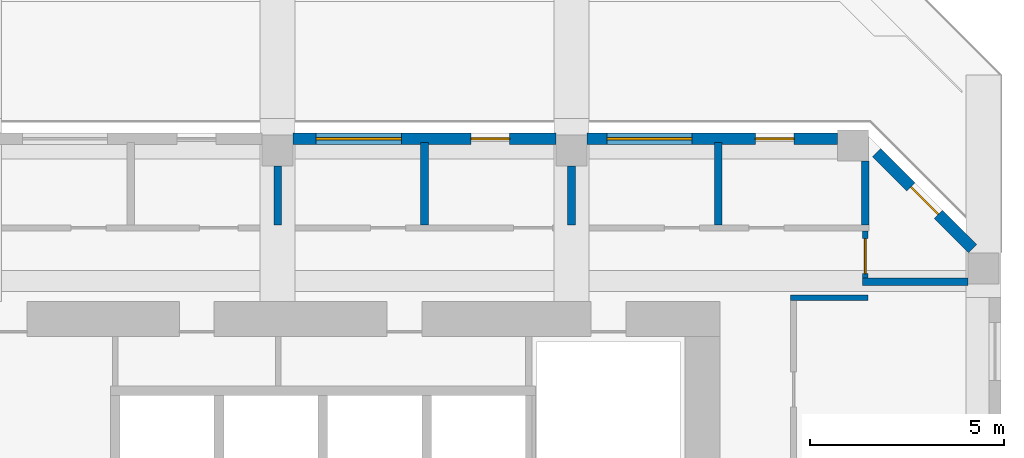
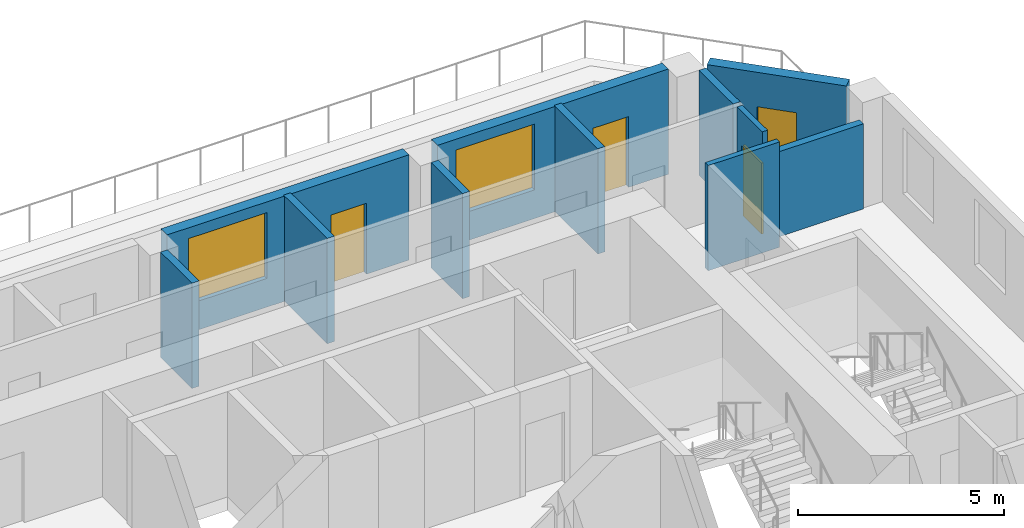
# One storey, part 11 of 16: 11 walls, 4 doors, 2 windows, 6 openings.
"""IFC4 building model written with IfcOpenShell, lengths in metres."""

from ifc_helpers import new_model, si_unit, direction, frame, frame_2d, origin, place, context, subcontext, project, spatial, rectangle, extrude, source, transform, mapped, material, layer, layer_set, type_object, element, fill, save


model = new_model("IFC4")

# Units and contexts
model_context = context("Model", 3, precision=1e-05, world=origin(), true_north=direction((0.0, 1.0)))
body_context = subcontext(model_context, "Body", "Model", "MODEL_VIEW")
ifc_project = project(units=[si_unit("LENGTHUNIT", "METRE"), si_unit("AREAUNIT", "SQUARE_METRE"), si_unit("VOLUMEUNIT", "CUBIC_METRE"), si_unit("PLANEANGLEUNIT", "RADIAN"), si_unit("MASSUNIT", "GRAM", prefix="KILO")], contexts=[model_context])

# Site, building, storey
site_placement = place(None, origin())
site = spatial("IfcSite", under=ifc_project, at=site_placement, CompositionType="ELEMENT")
building_placement = place(site_placement, origin())
building = spatial("IfcBuilding", under=site, at=building_placement, Name="Kilnfold Tower and Market Hall", CompositionType="ELEMENT")
storey_placement = place(building_placement, frame((0.0, 0.0, 168.5)))
storey = spatial("IfcBuildingStorey", under=building, at=storey_placement, Name="L39", CompositionType="ELEMENT", Elevation=168.5)

# Wall
ifc_material_1 = material(Name="Gypsum board on steel studs", Category="steel")
ifc_layer_1 = layer(ifc_material_1, 0.14990234375)
ifc_layer_set_1 = layer_set([ifc_layer_1], Name="Gypsum board on steel studs")
wall_type_1 = type_object("IfcWallType", Name="WALL CORRIDOR 150", PredefinedType="PARTITIONING", material=ifc_layer_set_1)
wall_1_placement = place(storey_placement, frame((19.824951171875, 22.0, 0.0), z_axis=(0.0, 0.0, 1.0), x_axis=(1.0, 0.0, 0.0)))
element("IfcWall", 1, at=wall_1_placement, inside=storey, type_object=wall_type_1, Name="Partition LY26.30", PredefinedType="PARTITIONING", context=body_context, shape_type="SweptSolid", body=[
    extrude(rectangle(XDim=2.0, YDim=0.14990234375, at=frame_2d((1.0, 0.0))), origin(), (0.0, 0.0, 1.0), 3.1201171875),
])

# Wall, opening, door
wall_2_placement = place(storey_placement, frame((21.75, 22.5029296875, 0.0), z_axis=(0.0, 0.0, 1.0), x_axis=(0.0, 1.0, 0.0)))
wall_2 = element("IfcWall", 2, at=wall_2_placement, inside=storey, type_object=wall_type_1, Name="Partition LY26.33", PredefinedType="PARTITIONING", context=body_context, shape_type="SweptSolid", body=[
    extrude(rectangle(XDim=1.22216796875, YDim=0.14990234375, at=frame_2d((0.611083984375, 0.0))), origin(), (0.0, 0.0, 1.0), 3.1201171875),
])
opening_1_placement = place(wall_2_placement, frame((0.1201171875, 0.0, 0.0)))
opening_1 = element("IfcOpeningElement", 3, at=opening_1_placement, cuts=wall_2, Name="Opening D2", PredefinedType="OPENING", context=body_context, shape_type="SweptSolid", body=[
    extrude(rectangle(XDim=0.89990234375, YDim=2.10009765625, at=frame_2d((0.449951171875, 1.050048828125))), frame((0.0, 0.0849609375, 0.0), z_axis=(0.0, -1.0, 0.0), x_axis=(1.0, 0.0, 0.0)), (0.0, 0.0, 1.0), 0.169921875),
])
ifc_material_2 = material(Name="Timber veneer door leaf in steel frame", Category="steel")
door_type_1 = type_object("IfcDoorType", Name="DOOR ROOM 900 X2100", OperationType="NOTDEFINED", PredefinedType="DOOR", material=ifc_material_2)
door_1_placement = place(opening_1_placement, origin())
door_1 = element("IfcDoor", 4, at=door_1_placement, inside=storey, type_object=door_type_1, Name="Door D2", OperationType="SINGLE_SWING_LEFT", OverallHeight=2.10009765625, OverallWidth=0.89990234375, PredefinedType="DOOR", context=body_context, shape_type="SweptSolid", body=[
    extrude(rectangle(XDim=0.89990234375, YDim=2.10009765625, at=frame_2d((0.449951171875, 1.050048828125))), frame((0.0, 0.02490234375, 0.0), z_axis=(0.0, -1.0, 0.0), x_axis=(1.0, 0.0, 0.0)), (0.0, 0.0, 1.0), 0.050048828125),
])
fill(opening_1, door_1)

# Walls
ifc_material_3 = material(Name="Gypsum board on steel studs", Category="steel")
ifc_layer_2 = layer(ifc_material_3, 0.199951171875)
ifc_layer_set_2 = layer_set([ifc_layer_2], Name="Gypsum board on steel studs")
wall_type_2 = type_object("IfcWallType", Name="WALL PARTY 200", PredefinedType="PARTITIONING", material=ifc_layer_set_2)
wall_3_placement = place(storey_placement, frame((24.39990234375, 22.4130859375, 0.0), z_axis=(0.0, 0.0, 1.0), x_axis=(-1.0, 0.0, 0.0)))
element("IfcWall", 5, at=wall_3_placement, inside=storey, type_object=wall_type_2, Name="Partition LY26.120", PredefinedType="PARTITIONING", context=body_context, shape_type="SweptSolid", body=[
    extrude(rectangle(XDim=2.722900390625, YDim=0.199951171875, at=frame_2d((1.361328125, 0.0))), origin(), (0.0, 0.0, 1.0), 2.52001953125),
])
wall_4_placement = place(storey_placement, frame((21.75, 25.531982421875, 0.0), z_axis=(0.0, 0.0, 1.0), x_axis=(0.0, -1.0, 0.0)))
element("IfcWall", 6, at=wall_4_placement, inside=storey, type_object=wall_type_2, Name="Partition LY26.121", PredefinedType="PARTITIONING", context=body_context, shape_type="SweptSolid", body=[
    extrude(rectangle(XDim=1.655029296875, YDim=0.199951171875, at=frame_2d((0.82763671875, 0.0))), origin(), (0.0, 0.0, 1.0), 3.1201171875),
])
wall_5_placement = place(storey_placement, frame((6.5830078125, 23.876953125, 0.0), z_axis=(0.0, 0.0, 1.0), x_axis=(0.0, 1.0, 0.0)))
element("IfcWall", 7, at=wall_5_placement, inside=storey, type_object=wall_type_2, Name="Partition LY26.130", PredefinedType="PARTITIONING", context=body_context, shape_type="SweptSolid", body=[
    extrude(rectangle(XDim=1.52294921875, YDim=0.199951171875, at=frame_2d((0.761474609375, 0.0))), origin(), (0.0, 0.0, 1.0), 3.1201171875),
])
wall_6_placement = place(storey_placement, frame((10.375, 23.876953125, 0.0), z_axis=(0.0, 0.0, 1.0), x_axis=(0.0, 1.0, 0.0)))
element("IfcWall", 8, at=wall_6_placement, inside=storey, type_object=wall_type_2, Name="Partition LY26.131", PredefinedType="PARTITIONING", context=body_context, shape_type="SweptSolid", body=[
    extrude(rectangle(XDim=2.123046875, YDim=0.199951171875, at=frame_2d((1.0615234375, 0.0))), origin(), (0.0, 0.0, 1.0), 3.1201171875),
])
wall_7_placement = place(storey_placement, frame((14.1669921875, 23.876953125, 0.0), z_axis=(0.0, 0.0, 1.0), x_axis=(0.0, 1.0, 0.0)))
element("IfcWall", 9, at=wall_7_placement, inside=storey, type_object=wall_type_2, Name="Partition LY26.132", PredefinedType="PARTITIONING", context=body_context, shape_type="SweptSolid", body=[
    extrude(rectangle(XDim=1.52294921875, YDim=0.199951171875, at=frame_2d((0.761474609375, 0.0))), origin(), (0.0, 0.0, 1.0), 3.1201171875),
])
wall_8_placement = place(storey_placement, frame((17.958984375, 23.876953125, 0.0), z_axis=(0.0, 0.0, 1.0), x_axis=(0.0, 1.0, 0.0)))
element("IfcWall", 10, at=wall_8_placement, inside=storey, type_object=wall_type_2, Name="Partition LY26.133", PredefinedType="PARTITIONING", context=body_context, shape_type="SweptSolid", body=[
    extrude(rectangle(XDim=2.123046875, YDim=0.199951171875, at=frame_2d((1.0615234375, 0.0))), origin(), (0.0, 0.0, 1.0), 3.1201171875),
])

# Wall, openings, door, window
ifc_material_4 = material(Name="Precast concrete C50/60", Category="concrete")
ifc_layer_3 = layer(ifc_material_4, 0.300048828125)
ifc_layer_set_3 = layer_set([ifc_layer_3], Name="Precast concrete C50/60")
wall_type_3 = type_object("IfcWallType", Name="PRECAST WALL 300", PredefinedType="SOLIDWALL", material=ifc_layer_set_3)
shared_shape_1 = source(origin(), body_context, "Body", "SweptSolid", [
    extrude(rectangle(XDim=6.783203125, YDim=0.300048828125, at=frame_2d((3.3916015625, 0.0))), origin(), (0.0, 0.0, 1.0), 3.1201171875),
])
wall_9_placement = place(storey_placement, frame((13.7666015625, 26.10009765625, 0.0), z_axis=(0.0, 0.0, 1.0), x_axis=(-1.0, 0.0, 0.0)))
wall_9 = element("IfcWall", 11, at=wall_9_placement, inside=storey, type_object=wall_type_3, Name="External wall L39 N", PredefinedType="SOLIDWALL", context=body_context, shape_type="MappedRepresentation", body=[
    mapped(shared_shape_1, transform((0.0, 0.0, 0.0))),
])
opening_2_placement = place(wall_9_placement, frame((1.19580078125, 0.0, 0.0)))
opening_2 = element("IfcOpeningElement", 12, at=opening_2_placement, cuts=wall_9, Name="Opening BD1", PredefinedType="OPENING", context=body_context, shape_type="SweptSolid", body=[
    extrude(rectangle(XDim=1.0, YDim=2.10009765625, at=frame_2d((0.5, 1.050048828125))), frame((0.0, 0.16015625, 0.0), z_axis=(0.0, -1.0, 0.0), x_axis=(1.0, 0.0, 0.0)), (0.0, 0.0, 1.0), 0.320068359375),
])
opening_3_placement = place(wall_9_placement, frame((3.987548828125, 0.0, 0.85009765625)))
opening_3 = element("IfcOpeningElement", 13, at=opening_3_placement, cuts=wall_9, Name="Opening W2", PredefinedType="OPENING", context=body_context, shape_type="SweptSolid", body=[
    extrude(rectangle(XDim=2.199951171875, YDim=1.949951171875, at=frame_2d((1.10009765625, 0.97509765625))), frame((0.0, 0.16015625, 0.0), z_axis=(0.0, -1.0, 0.0), x_axis=(1.0, 0.0, 0.0)), (0.0, 0.0, 1.0), 0.320068359375),
])
ifc_material_5 = material(Name="Aluminium frame and double glazing", Category="aluminium")
door_type_2 = type_object("IfcDoorType", Name="BALCONY DOOR 1000X2100", OperationType="NOTDEFINED", PredefinedType="DOOR", material=ifc_material_5)
door_2_placement = place(opening_2_placement, origin())
door_2 = element("IfcDoor", 14, at=door_2_placement, inside=storey, type_object=door_type_2, Name="Balcony door BD1 L39 N-1", OperationType="SINGLE_SWING_LEFT", OverallHeight=2.10009765625, OverallWidth=1.0, PredefinedType="DOOR", context=body_context, shape_type="SweptSolid", body=[
    extrude(rectangle(XDim=1.0, YDim=2.10009765625, at=frame_2d((0.5, 1.050048828125))), frame((0.0, 0.02490234375, 0.0), z_axis=(0.0, -1.0, 0.0), x_axis=(1.0, 0.0, 0.0)), (0.0, 0.0, 1.0), 0.050048828125),
])
fill(opening_2, door_2)
ifc_material_6 = material(Name="Aluminium frame and double glazing", Category="aluminium")
window_type = type_object("IfcWindowType", Name="WINDOW W2 2200X1950", PartitioningType="SINGLE_PANEL", PredefinedType="WINDOW", material=ifc_material_6)
window_1_placement = place(opening_3_placement, origin())
window_1 = element("IfcWindow", 15, at=window_1_placement, inside=storey, type_object=window_type, Name="Window W2 L39 N-2", OverallHeight=1.949951171875, OverallWidth=2.199951171875, PartitioningType="SINGLE_PANEL", PredefinedType="WINDOW", context=body_context, shape_type="SweptSolid", body=[
    extrude(rectangle(XDim=2.199951171875, YDim=1.949951171875, at=frame_2d((1.10009765625, 0.97509765625))), frame((0.0, 0.030029296875, 0.0), z_axis=(0.0, -1.0, 0.0), x_axis=(1.0, 0.0, 0.0)), (0.0, 0.0, 1.0), 0.06005859375),
])
fill(opening_3, window_1)

# Wall, opening, door
shared_shape_2 = source(origin(), body_context, "Body", "SweptSolid", [
    extrude(rectangle(XDim=3.500244140625, YDim=0.300048828125, at=frame_2d((1.75, 0.0))), origin(), (0.0, 0.0, 1.0), 3.1201171875),
])
wall_10_placement = place(storey_placement, frame((24.518798828125, 23.268798828125, 0.0), z_axis=(0.0, 0.0, 1.0), x_axis=(-0.70707190453, 0.707141656123, 0.0)))
wall_10 = element("IfcWall", 16, at=wall_10_placement, inside=storey, type_object=wall_type_3, Name="External wall L39 NE", PredefinedType="SOLIDWALL", context=body_context, shape_type="MappedRepresentation", body=[
    mapped(shared_shape_2, transform((0.0, 0.0, 0.0))),
])
opening_4_placement = place(wall_10_placement, frame((1.25, 0.0, 0.0)))
opening_4 = element("IfcOpeningElement", 17, at=opening_4_placement, cuts=wall_10, Name="Opening BD1", PredefinedType="OPENING", context=body_context, shape_type="SweptSolid", body=[
    extrude(rectangle(XDim=1.0, YDim=2.10009765625, at=frame_2d((0.5, 1.050048828125))), frame((0.0, 0.16015625, 0.0), z_axis=(0.0, -1.0, 0.0), x_axis=(1.0, 0.0, 0.0)), (0.0, 0.0, 1.0), 0.320068359375),
])
door_3_placement = place(opening_4_placement, origin())
door_3 = element("IfcDoor", 18, at=door_3_placement, inside=storey, type_object=door_type_2, Name="Balcony door BD1 L39 NE-1", OperationType="SINGLE_SWING_LEFT", OverallHeight=2.10009765625, OverallWidth=1.0, PredefinedType="DOOR", context=body_context, shape_type="SweptSolid", body=[
    extrude(rectangle(XDim=1.0, YDim=2.10009765625, at=frame_2d((0.5, 1.050048828125))), frame((0.0, 0.02490234375, 0.0), z_axis=(0.0, -1.0, 0.0), x_axis=(1.0, 0.0, 0.0)), (0.0, 0.0, 1.0), 0.050048828125),
])
fill(opening_4, door_3)

# Wall, openings, door, window
shared_shape_3 = source(origin(), body_context, "Body", "SweptSolid", [
    extrude(rectangle(XDim=6.465087890625, YDim=0.300048828125, at=frame_2d((3.232421875, 0.0))), origin(), (0.0, 0.0, 1.0), 3.1201171875),
])
wall_11_placement = place(storey_placement, frame((21.03173828125, 26.10009765625, 0.0), z_axis=(0.0, 0.0, 1.0), x_axis=(-1.0, 0.0, 0.0)))
wall_11 = element("IfcWall", 19, at=wall_11_placement, inside=storey, type_object=wall_type_3, Name="External wall L39 N", PredefinedType="SOLIDWALL", context=body_context, shape_type="MappedRepresentation", body=[
    mapped(shared_shape_3, transform((0.0, 0.0, 0.0))),
])
opening_5_placement = place(wall_11_placement, frame((1.1162109375, 0.0, 0.0)))
opening_5 = element("IfcOpeningElement", 20, at=opening_5_placement, cuts=wall_11, Name="Opening BD1", PredefinedType="OPENING", context=body_context, shape_type="SweptSolid", body=[
    extrude(rectangle(XDim=1.0, YDim=2.10009765625, at=frame_2d((0.5, 1.050048828125))), frame((0.0, 0.16015625, 0.0), z_axis=(0.0, -1.0, 0.0), x_axis=(1.0, 0.0, 0.0)), (0.0, 0.0, 1.0), 0.320068359375),
])
opening_6_placement = place(wall_11_placement, frame((3.748779296875, 0.0, 0.85009765625)))
opening_6 = element("IfcOpeningElement", 21, at=opening_6_placement, cuts=wall_11, Name="Opening W2", PredefinedType="OPENING", context=body_context, shape_type="SweptSolid", body=[
    extrude(rectangle(XDim=2.199951171875, YDim=1.949951171875, at=frame_2d((1.10009765625, 0.97509765625))), frame((0.0, 0.16015625, 0.0), z_axis=(0.0, -1.0, 0.0), x_axis=(1.0, 0.0, 0.0)), (0.0, 0.0, 1.0), 0.320068359375),
])
door_4_placement = place(opening_5_placement, origin())
door_4 = element("IfcDoor", 22, at=door_4_placement, inside=storey, type_object=door_type_2, Name="Balcony door BD1 L39 N-1", OperationType="SINGLE_SWING_LEFT", OverallHeight=2.10009765625, OverallWidth=1.0, PredefinedType="DOOR", context=body_context, shape_type="SweptSolid", body=[
    extrude(rectangle(XDim=1.0, YDim=2.10009765625, at=frame_2d((0.5, 1.050048828125))), frame((0.0, 0.02490234375, 0.0), z_axis=(0.0, -1.0, 0.0), x_axis=(1.0, 0.0, 0.0)), (0.0, 0.0, 1.0), 0.050048828125),
])
fill(opening_5, door_4)
window_2_placement = place(opening_6_placement, origin())
window_2 = element("IfcWindow", 23, at=window_2_placement, inside=storey, type_object=window_type, Name="Window W2 L39 N-2", OverallHeight=1.949951171875, OverallWidth=2.199951171875, PartitioningType="SINGLE_PANEL", PredefinedType="WINDOW", context=body_context, shape_type="SweptSolid", body=[
    extrude(rectangle(XDim=2.199951171875, YDim=1.949951171875, at=frame_2d((1.10009765625, 0.97509765625))), frame((0.0, 0.030029296875, 0.0), z_axis=(0.0, -1.0, 0.0), x_axis=(1.0, 0.0, 0.0)), (0.0, 0.0, 1.0), 0.06005859375),
])
fill(opening_6, window_2)

save(model, "model.ifc")
